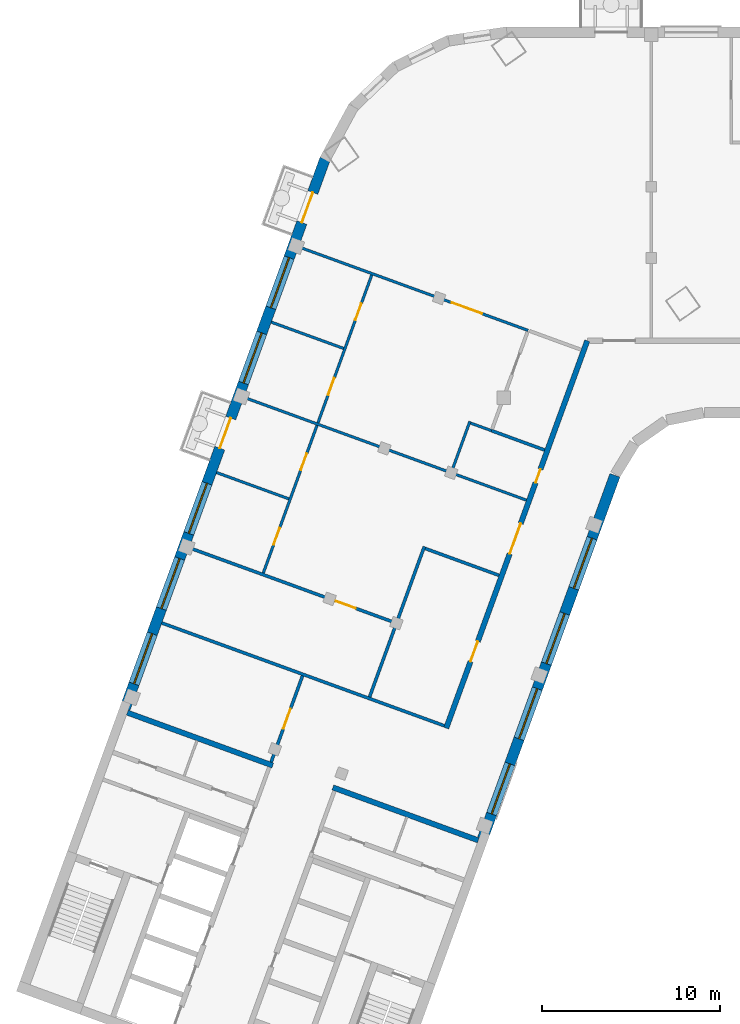
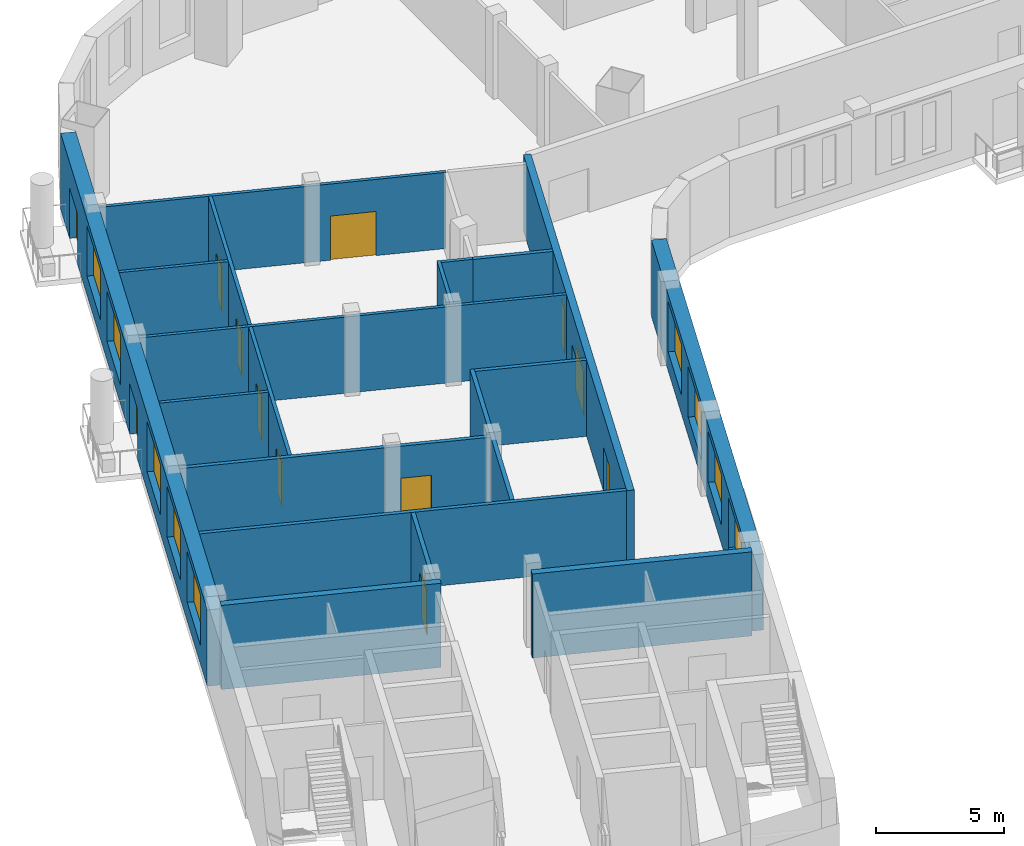
# One storey, part 3 of 10: 18 walls, 12 doors, 9 windows, 21 openings.
"""IFC4 building model written with IfcOpenShell, lengths in metres."""

from ifc_helpers import new_model, si_unit, direction, frame, frame_2d, origin, place, context, subcontext, project, spatial, rectangle, extrude, material, layer, layer_set, type_object, element, fill, save


model = new_model("IFC4")

# Units and contexts
model_context = context("Model", 3, precision=1e-05, world=origin(), true_north=direction((0.0, 1.0)))
body_context = subcontext(model_context, "Body", "Model", "MODEL_VIEW")
ifc_project = project(units=[si_unit("LENGTHUNIT", "METRE"), si_unit("AREAUNIT", "SQUARE_METRE"), si_unit("VOLUMEUNIT", "CUBIC_METRE"), si_unit("PLANEANGLEUNIT", "RADIAN"), si_unit("MASSUNIT", "GRAM", prefix="KILO")], contexts=[model_context])

# Site, building, storey
site_placement = place(None, origin())
site = spatial("IfcSite", under=ifc_project, at=site_placement, CompositionType="ELEMENT")
building_placement = place(site_placement, origin())
building = spatial("IfcBuilding", under=site, at=building_placement, Name="Skarvind Civic Tower", CompositionType="ELEMENT")
storey_placement = place(building_placement, frame((0.0, 0.0, 204.0)))
storey = spatial("IfcBuildingStorey", under=building, at=storey_placement, Name="L48", CompositionType="ELEMENT", Elevation=204.0)

# Wall
ifc_material_1 = material(Name="Acoustic gypsum board on steel studs", Category="steel")
ifc_layer_1 = layer(ifc_material_1, 0.175048828125)
ifc_layer_set_1 = layer_set([ifc_layer_1], Name="ACOUSTIC MEETING-ROOM PARTITION 175")
wall_type_1 = type_object("IfcWallType", Name="ACOUSTIC MEETING-ROOM PARTITION 175", PredefinedType="PARTITIONING", material=ifc_layer_set_1)
wall_1_placement = place(storey_placement, frame((26.736083984375, 105.47998046875, 0.0), z_axis=(0.0, 0.0, 1.0), x_axis=(0.939695108427, -0.342013308511, 0.0)))
element("IfcWall", 1, at=wall_1_placement, inside=storey, type_object=wall_type_1, Name="Partition 48.001", PredefinedType="PARTITIONING", context=body_context, shape_type="SweptSolid", body=[
    extrude(rectangle(XDim=16.89990234375, YDim=0.175048828125, at=frame_2d((8.449951171875, 0.0))), origin(), (0.0, 0.0, 1.0), 3.625),
])

# Wall, opening, door
wall_2_placement = place(storey_placement, frame((32.881103515625, 97.656982421875, 0.0), z_axis=(0.0, 0.0, 1.0), x_axis=(0.342058204353, 0.939678766832, 0.0)))
wall_2 = element("IfcWall", 2, at=wall_2_placement, inside=storey, type_object=wall_type_1, Name="Partition 48.007", PredefinedType="PARTITIONING", context=body_context, shape_type="SweptSolid", body=[
    extrude(rectangle(XDim=5.16259765625, YDim=0.175048828125, at=frame_2d((2.581298828125, 0.0))), origin(), (0.0, 0.0, 1.0), 3.625),
])
opening_1_placement = place(wall_2_placement, frame((1.9912109375, 0.0, 0.0)))
opening_1 = element("IfcOpeningElement", 3, at=opening_1_placement, cuts=wall_2, Name="Opening L48-D012", PredefinedType="OPENING", context=body_context, shape_type="SweptSolid", body=[
    extrude(rectangle(XDim=1.199951171875, YDim=2.10009765625, at=frame_2d((0.60009765625, 1.050048828125))), frame((0.0, 0.097412109375, 0.0), z_axis=(0.0, -1.0, 0.0), x_axis=(1.0, 0.0, 0.0)), (0.0, 0.0, 1.0), 0.195068359375),
])
ifc_material_2 = material(Name="Timber door leaf", Category="wood")
door_type_1 = type_object("IfcDoorType", Name="DOOR 1200X2100 DOUBLE TIMBER", OperationType="NOTDEFINED", PredefinedType="DOOR", material=ifc_material_2)
door_1_placement = place(opening_1_placement, origin())
door_1 = element("IfcDoor", 4, at=door_1_placement, inside=storey, type_object=door_type_1, Name="Door L48-D012", OperationType="DOUBLE_DOOR_SINGLE_SWING", OverallHeight=2.10009765625, OverallWidth=1.199951171875, PredefinedType="DOOR", context=body_context, shape_type="SweptSolid", body=[
    extrude(rectangle(XDim=1.199951171875, YDim=2.10009765625, at=frame_2d((0.60009765625, 1.050048828125))), frame((0.0, 0.02490234375, 0.0), z_axis=(0.0, -1.0, 0.0), x_axis=(1.0, 0.0, 0.0)), (0.0, 0.0, 1.0), 0.050048828125),
])
fill(opening_1, door_1)

# Wall
wall_3_placement = place(storey_placement, frame((38.41796875, 101.321044921875, 0.0), z_axis=(0.0, 0.0, 1.0), x_axis=(0.342082778631, 0.939669821035, 0.0)))
element("IfcWall", 5, at=wall_3_placement, inside=storey, type_object=wall_type_1, Name="Partition 48.009", PredefinedType="PARTITIONING", context=body_context, shape_type="SweptSolid", body=[
    extrude(rectangle(XDim=9.0009765625, YDim=0.175048828125, at=frame_2d((4.50048828125, 0.0))), origin(), (0.0, 0.0, 1.0), 3.625),
])

# Wall, opening, door
wall_4_placement = place(storey_placement, frame((28.27490234375, 109.708984375, 0.0), z_axis=(0.0, 0.0, 1.0), x_axis=(0.939707717516, -0.341978662553, 0.0)))
wall_4 = element("IfcWall", 6, at=wall_4_placement, inside=storey, type_object=wall_type_1, Name="Partition 48.010", PredefinedType="PARTITIONING", context=body_context, shape_type="SweptSolid", body=[
    extrude(rectangle(XDim=12.3134765625, YDim=0.175048828125, at=frame_2d((6.15673828125, 0.0))), origin(), (0.0, 0.0, 1.0), 3.625),
])
opening_2_placement = place(wall_4_placement, frame((8.765380859375, 0.0, 0.0)))
opening_2 = element("IfcOpeningElement", 7, at=opening_2_placement, cuts=wall_4, Name="Opening L48-D022", PredefinedType="OPENING", context=body_context, shape_type="SweptSolid", body=[
    extrude(rectangle(XDim=1.199951171875, YDim=2.10009765625, at=frame_2d((0.60009765625, 1.050048828125))), frame((0.0, 0.097412109375, 0.0), z_axis=(0.0, -1.0, 0.0), x_axis=(1.0, 0.0, 0.0)), (0.0, 0.0, 1.0), 0.195068359375),
])
door_2_placement = place(opening_2_placement, origin())
door_2 = element("IfcDoor", 8, at=door_2_placement, inside=storey, type_object=door_type_1, Name="Door L48-D022", OperationType="DOUBLE_DOOR_SINGLE_SWING", OverallHeight=2.10009765625, OverallWidth=1.199951171875, PredefinedType="DOOR", context=body_context, shape_type="SweptSolid", body=[
    extrude(rectangle(XDim=1.199951171875, YDim=2.10009765625, at=frame_2d((0.60009765625, 1.050048828125))), frame((0.0, 0.02490234375, 0.0), z_axis=(0.0, -1.0, 0.0), x_axis=(1.0, 0.0, 0.0)), (0.0, 0.0, 1.0), 0.050048828125),
])
fill(opening_2, door_2)

# Walls
wall_5_placement = place(storey_placement, frame((45.27490234375, 116.2919921875, 0.0), z_axis=(0.0, 0.0, 1.0), x_axis=(0.939649736865, -0.342137942956, 0.0)))
element("IfcWall", 9, at=wall_5_placement, inside=storey, type_object=wall_type_1, Name="Partition 48.015", PredefinedType="PARTITIONING", context=body_context, shape_type="SweptSolid", body=[
    extrude(rectangle(XDim=3.1767578125, YDim=0.175048828125, at=frame_2d((1.58837890625, 0.0))), origin(), (0.0, 0.0, 1.0), 3.625),
])
wall_6_placement = place(storey_placement, frame((45.695068359375, 108.156982421875, 0.0), z_axis=(0.0, 0.0, 1.0), x_axis=(-0.939620446327, 0.342218375959, 0.0)))
element("IfcWall", 10, at=wall_6_placement, inside=storey, type_object=wall_type_1, Name="Partition 48.016", PredefinedType="PARTITIONING", context=body_context, shape_type="SweptSolid", body=[
    extrude(rectangle(XDim=4.412353515625, YDim=0.175048828125, at=frame_2d((2.2060546875, 0.0))), origin(), (0.0, 0.0, 1.0), 3.625),
])

# Wall, openings, doors
ifc_material_3 = material(Name="Fire-rated gypsum board on steel studs", Category="steel")
ifc_layer_2 = layer(ifc_material_3, 0.300048828125)
ifc_layer_set_2 = layer_set([ifc_layer_2], Name="CORRIDOR WALL 300")
wall_type_2 = type_object("IfcWallType", Name="CORRIDOR WALL 300", PredefinedType="PARTITIONING", material=ifc_layer_set_2)
wall_7_placement = place(storey_placement, frame((42.72802734375, 99.56689453125, 0.0), z_axis=(0.0, 0.0, 1.0), x_axis=(0.342016197204, 0.939694057048, 0.0)))
wall_7 = element("IfcWall", 11, at=wall_7_placement, inside=storey, type_object=wall_type_2, Name="Partition 48.011", PredefinedType="PARTITIONING", context=body_context, shape_type="SweptSolid", body=[
    extrude(rectangle(XDim=23.18017578125, YDim=0.300048828125, at=frame_2d((11.590087890625, 0.0))), origin(), (0.0, 0.0, 1.0), 3.625),
])
opening_3_placement = place(wall_7_placement, frame((3.987060546875, 0.0, 0.0)))
opening_3 = element("IfcOpeningElement", 12, at=opening_3_placement, cuts=wall_7, Name="Opening L48-D013", PredefinedType="OPENING", context=body_context, shape_type="SweptSolid", body=[
    extrude(rectangle(XDim=1.199951171875, YDim=2.10009765625, at=frame_2d((0.60009765625, 1.050048828125))), frame((0.0, 0.159912109375, 0.0), z_axis=(0.0, -1.0, 0.0), x_axis=(1.0, 0.0, 0.0)), (0.0, 0.0, 1.0), 0.320068359375),
])
opening_4_placement = place(wall_7_placement, frame((10.43701171875, 0.0, 0.0)))
opening_4 = element("IfcOpeningElement", 13, at=opening_4_placement, cuts=wall_7, Name="Opening L48-D016", PredefinedType="OPENING", context=body_context, shape_type="SweptSolid", body=[
    extrude(rectangle(XDim=1.800048828125, YDim=2.10009765625, at=frame_2d((0.89990234375, 1.050048828125))), frame((0.0, 0.159912109375, 0.0), z_axis=(0.0, -1.0, 0.0), x_axis=(1.0, 0.0, 0.0)), (0.0, 0.0, 1.0), 0.320068359375),
])
opening_5_placement = place(wall_7_placement, frame((14.687255859375, 0.0, 0.0)))
opening_5 = element("IfcOpeningElement", 14, at=opening_5_placement, cuts=wall_7, Name="Opening L48-D017", PredefinedType="OPENING", context=body_context, shape_type="SweptSolid", body=[
    extrude(rectangle(XDim=0.800048828125, YDim=2.10009765625, at=frame_2d((0.39990234375, 1.050048828125))), frame((0.0, 0.159912109375, 0.0), z_axis=(0.0, -1.0, 0.0), x_axis=(1.0, 0.0, 0.0)), (0.0, 0.0, 1.0), 0.320068359375),
])
ifc_material_4 = material(Name="Fire-rated timber door leaf", Category="wood")
door_type_2 = type_object("IfcDoorType", Name="FD4 1800x2100", OperationType="NOTDEFINED", PredefinedType="DOOR", material=ifc_material_4)
door_3_placement = place(opening_4_placement, origin())
door_3 = element("IfcDoor", 15, at=door_3_placement, inside=storey, type_object=door_type_2, Name="Door L48-D016", OperationType="DOUBLE_DOOR_SINGLE_SWING", OverallHeight=2.10009765625, OverallWidth=1.800048828125, PredefinedType="DOOR", context=body_context, shape_type="SweptSolid", body=[
    extrude(rectangle(XDim=1.800048828125, YDim=2.10009765625, at=frame_2d((0.89990234375, 1.050048828125))), frame((0.0, 0.02490234375, 0.0), z_axis=(0.0, -1.0, 0.0), x_axis=(1.0, 0.0, 0.0)), (0.0, 0.0, 1.0), 0.050048828125),
])
fill(opening_4, door_3)
door_type_3 = type_object("IfcDoorType", Name="FD5 800x2100", OperationType="NOTDEFINED", PredefinedType="DOOR", material=ifc_material_4)
door_4_placement = place(opening_5_placement, origin())
door_4 = element("IfcDoor", 16, at=door_4_placement, inside=storey, type_object=door_type_3, Name="Door L48-D017", OperationType="SINGLE_SWING_LEFT", OverallHeight=2.10009765625, OverallWidth=0.800048828125, PredefinedType="DOOR", context=body_context, shape_type="SweptSolid", body=[
    extrude(rectangle(XDim=0.800048828125, YDim=2.10009765625, at=frame_2d((0.39990234375, 1.050048828125))), frame((0.0, 0.02490234375, 0.0), z_axis=(0.0, -1.0, 0.0), x_axis=(1.0, 0.0, 0.0)), (0.0, 0.0, 1.0), 0.050048828125),
])
fill(opening_5, door_4)
door_type_4 = type_object("IfcDoorType", Name="FD6 1200x2100 DOUBLE", OperationType="NOTDEFINED", PredefinedType="DOOR", material=ifc_material_4)
door_5_placement = place(opening_3_placement, origin())
door_5 = element("IfcDoor", 17, at=door_5_placement, inside=storey, type_object=door_type_4, Name="Door L48-D013", OperationType="DOUBLE_DOOR_SINGLE_SWING", OverallHeight=2.10009765625, OverallWidth=1.199951171875, PredefinedType="DOOR", context=body_context, shape_type="SweptSolid", body=[
    extrude(rectangle(XDim=1.199951171875, YDim=2.10009765625, at=frame_2d((0.60009765625, 1.050048828125))), frame((0.0, 0.02490234375, 0.0), z_axis=(0.0, -1.0, 0.0), x_axis=(1.0, 0.0, 0.0)), (0.0, 0.0, 1.0), 0.050048828125),
])
fill(opening_3, door_5)

# Walls
ifc_material_5 = material(Name="Concrete C60", Category="concrete")
ifc_layer_3 = layer(ifc_material_5, 0.300048828125)
ifc_layer_set_3 = layer_set([ifc_layer_3], Name="Core wall 300 C60")
wall_type_3 = type_object("IfcWallType", Name="Core wall 300 C60", PredefinedType="SHEAR", material=ifc_layer_set_3)
wall_8_placement = place(storey_placement, frame((44.52880859375, 93.258056640625, 0.0), z_axis=(0.0, 0.0, 1.0), x_axis=(-0.9396917844, 0.342022441267, 0.0)))
element("IfcWall", 18, at=wall_8_placement, inside=storey, type_object=wall_type_3, Name="Core wall C2 south inner face L48", PredefinedType="SHEAR", context=body_context, shape_type="SweptSolid", body=[
    extrude(rectangle(XDim=8.699951171875, YDim=0.300048828125, at=frame_2d((4.35009765625, 0.0))), origin(), (0.0, 0.0, 1.0), 4.0),
])
wall_9_placement = place(storey_placement, frame((32.970703125, 97.46484375, 0.0), z_axis=(0.0, 0.0, 1.0), x_axis=(-0.939695066972, 0.34201342241, 0.0)))
element("IfcWall", 19, at=wall_9_placement, inside=storey, type_object=wall_type_3, Name="Core wall C2 north inner face L48", PredefinedType="SHEAR", context=body_context, shape_type="SweptSolid", body=[
    extrude(rectangle(XDim=8.7001953125, YDim=0.300048828125, at=frame_2d((4.35009765625, 0.0))), origin(), (0.0, 0.0, 1.0), 4.0),
])
ifc_material_6 = material(Name="Plasterboard partition on steel studs", Category="steel")
ifc_layer_4 = layer(ifc_material_6, 0.14990234375)
ifc_layer_set_4 = layer_set([ifc_layer_4], Name="PARTITION 150")
wall_type_4 = type_object("IfcWallType", Name="PARTITION 150", PredefinedType="PARTITIONING", material=ifc_layer_set_4)
wall_10_placement = place(storey_placement, frame((29.81396484375, 113.93798828125, 0.0), z_axis=(0.0, 0.0, 1.0), x_axis=(0.93973078783, -0.341915262023, 0.0)))
element("IfcWall", 20, at=wall_10_placement, inside=storey, type_object=wall_type_4, Name="Partition 48.002", PredefinedType="PARTITIONING", context=body_context, shape_type="SweptSolid", body=[
    extrude(rectangle(XDim=4.32568359375, YDim=0.14990234375, at=frame_2d((2.162841796875, 0.0))), origin(), (0.0, 0.0, 1.0), 3.625),
])
wall_11_placement = place(storey_placement, frame((31.35302734375, 118.166015625, 0.0), z_axis=(0.0, 0.0, 1.0), x_axis=(0.939695108427, -0.342013308511, 0.0)))
element("IfcWall", 21, at=wall_11_placement, inside=storey, type_object=wall_type_4, Name="Partition 48.003", PredefinedType="PARTITIONING", context=body_context, shape_type="SweptSolid", body=[
    extrude(rectangle(XDim=16.89990234375, YDim=0.14990234375, at=frame_2d((8.449951171875, 0.0))), origin(), (0.0, 0.0, 1.0), 3.625),
])

# Wall, openings, doors
wall_12_placement = place(storey_placement, frame((38.5400390625, 125.049072265625, 0.0), z_axis=(0.0, 0.0, 1.0), x_axis=(-0.341960632782, -0.939714278719, 0.0)))
wall_12 = element("IfcWall", 22, at=wall_12_placement, inside=storey, type_object=wall_type_4, Name="Partition 48.004", PredefinedType="PARTITIONING", context=body_context, shape_type="SweptSolid", body=[
    extrude(rectangle(XDim=17.838623046875, YDim=0.14990234375, at=frame_2d((8.91943359375, 0.0))), origin(), (0.0, 0.0, 1.0), 3.625),
])
opening_6_placement = place(wall_12_placement, frame((15.14208984375, 0.0, 0.0)))
opening_6 = element("IfcOpeningElement", 23, at=opening_6_placement, cuts=wall_12, Name="Opening L48-D014", PredefinedType="OPENING", context=body_context, shape_type="SweptSolid", body=[
    extrude(rectangle(XDim=1.0, YDim=2.10009765625, at=frame_2d((0.5, 1.050048828125))), frame((0.0, 0.0849609375, 0.0), z_axis=(0.0, -1.0, 0.0), x_axis=(1.0, 0.0, 0.0)), (0.0, 0.0, 1.0), 0.169921875),
])
opening_7_placement = place(wall_12_placement, frame((10.67529296875, 0.0, 0.0)))
opening_7 = element("IfcOpeningElement", 24, at=opening_7_placement, cuts=wall_12, Name="Opening L48-D015", PredefinedType="OPENING", context=body_context, shape_type="SweptSolid", body=[
    extrude(rectangle(XDim=1.0, YDim=2.10009765625, at=frame_2d((0.5, 1.050048828125))), frame((0.0, 0.0849609375, 0.0), z_axis=(0.0, -1.0, 0.0), x_axis=(1.0, 0.0, 0.0)), (0.0, 0.0, 1.0), 0.169921875),
])
opening_8_placement = place(wall_12_placement, frame((6.175537109375, 0.0, 0.0)))
opening_8 = element("IfcOpeningElement", 25, at=opening_8_placement, cuts=wall_12, Name="Opening L48-D018", PredefinedType="OPENING", context=body_context, shape_type="SweptSolid", body=[
    extrude(rectangle(XDim=1.0, YDim=2.10009765625, at=frame_2d((0.5, 1.050048828125))), frame((0.0, 0.0849609375, 0.0), z_axis=(0.0, -1.0, 0.0), x_axis=(1.0, 0.0, 0.0)), (0.0, 0.0, 1.0), 0.169921875),
])
opening_9_placement = place(wall_12_placement, frame((1.70263671875, 0.0, 0.0)))
opening_9 = element("IfcOpeningElement", 26, at=opening_9_placement, cuts=wall_12, Name="Opening L48-D019", PredefinedType="OPENING", context=body_context, shape_type="SweptSolid", body=[
    extrude(rectangle(XDim=1.0, YDim=2.10009765625, at=frame_2d((0.5, 1.050048828125))), frame((0.0, 0.0849609375, 0.0), z_axis=(0.0, -1.0, 0.0), x_axis=(1.0, 0.0, 0.0)), (0.0, 0.0, 1.0), 0.169921875),
])
door_type_5 = type_object("IfcDoorType", Name="D1 1000x2100", OperationType="NOTDEFINED", PredefinedType="DOOR", material=ifc_material_2)
door_6_placement = place(opening_6_placement, origin())
door_6 = element("IfcDoor", 27, at=door_6_placement, inside=storey, type_object=door_type_5, Name="Door L48-D014", OperationType="SINGLE_SWING_LEFT", OverallHeight=2.10009765625, OverallWidth=1.0, PredefinedType="DOOR", context=body_context, shape_type="SweptSolid", body=[
    extrude(rectangle(XDim=1.0, YDim=2.10009765625, at=frame_2d((0.5, 1.050048828125))), frame((0.0, 0.02490234375, 0.0), z_axis=(0.0, -1.0, 0.0), x_axis=(1.0, 0.0, 0.0)), (0.0, 0.0, 1.0), 0.050048828125),
])
fill(opening_6, door_6)
door_7_placement = place(opening_7_placement, origin())
door_7 = element("IfcDoor", 28, at=door_7_placement, inside=storey, type_object=door_type_5, Name="Door L48-D015", OperationType="SINGLE_SWING_LEFT", OverallHeight=2.10009765625, OverallWidth=1.0, PredefinedType="DOOR", context=body_context, shape_type="SweptSolid", body=[
    extrude(rectangle(XDim=1.0, YDim=2.10009765625, at=frame_2d((0.5, 1.050048828125))), frame((0.0, 0.02490234375, 0.0), z_axis=(0.0, -1.0, 0.0), x_axis=(1.0, 0.0, 0.0)), (0.0, 0.0, 1.0), 0.050048828125),
])
fill(opening_7, door_7)
door_8_placement = place(opening_8_placement, origin())
door_8 = element("IfcDoor", 29, at=door_8_placement, inside=storey, type_object=door_type_5, Name="Door L48-D018", OperationType="SINGLE_SWING_LEFT", OverallHeight=2.10009765625, OverallWidth=1.0, PredefinedType="DOOR", context=body_context, shape_type="SweptSolid", body=[
    extrude(rectangle(XDim=1.0, YDim=2.10009765625, at=frame_2d((0.5, 1.050048828125))), frame((0.0, 0.02490234375, 0.0), z_axis=(0.0, -1.0, 0.0), x_axis=(1.0, 0.0, 0.0)), (0.0, 0.0, 1.0), 0.050048828125),
])
fill(opening_8, door_8)
door_9_placement = place(opening_9_placement, origin())
door_9 = element("IfcDoor", 30, at=door_9_placement, inside=storey, type_object=door_type_5, Name="Door L48-D019", OperationType="SINGLE_SWING_LEFT", OverallHeight=2.10009765625, OverallWidth=1.0, PredefinedType="DOOR", context=body_context, shape_type="SweptSolid", body=[
    extrude(rectangle(XDim=1.0, YDim=2.10009765625, at=frame_2d((0.5, 1.050048828125))), frame((0.0, 0.02490234375, 0.0), z_axis=(0.0, -1.0, 0.0), x_axis=(1.0, 0.0, 0.0)), (0.0, 0.0, 1.0), 0.050048828125),
])
fill(opening_9, door_9)

# Wall
wall_13_placement = place(storey_placement, frame((32.89208984375, 122.39501953125, 0.0), z_axis=(0.0, 0.0, 1.0), x_axis=(0.93973078783, -0.341915262023, 0.0)))
element("IfcWall", 31, at=wall_13_placement, inside=storey, type_object=wall_type_4, Name="Partition 48.005", PredefinedType="PARTITIONING", context=body_context, shape_type="SweptSolid", body=[
    extrude(rectangle(XDim=4.32568359375, YDim=0.14990234375, at=frame_2d((2.162841796875, 0.0))), origin(), (0.0, 0.0, 1.0), 3.625),
])

# Wall, opening, door
wall_14_placement = place(storey_placement, frame((34.430908203125, 126.6240234375, 0.0), z_axis=(0.0, 0.0, 1.0), x_axis=(0.939689004313, -0.34203007934, 0.0)))
wall_14 = element("IfcWall", 32, at=wall_14_placement, inside=storey, type_object=wall_type_4, Name="Partition 48.006", PredefinedType="PARTITIONING", context=body_context, shape_type="SweptSolid", body=[
    extrude(rectangle(XDim=13.72705078125, YDim=0.14990234375, at=frame_2d((6.863525390625, 0.0))), origin(), (0.0, 0.0, 1.0), 3.625),
])
opening_10_placement = place(wall_14_placement, frame((9.162109375, 0.0, 0.0)))
opening_10 = element("IfcOpeningElement", 33, at=opening_10_placement, cuts=wall_14, Name="Opening L48-D020", PredefinedType="OPENING", context=body_context, shape_type="SweptSolid", body=[
    extrude(rectangle(XDim=1.800048828125, YDim=2.10009765625, at=frame_2d((0.89990234375, 1.050048828125))), frame((0.0, 0.0849609375, 0.0), z_axis=(0.0, -1.0, 0.0), x_axis=(1.0, 0.0, 0.0)), (0.0, 0.0, 1.0), 0.169921875),
])
door_type_6 = type_object("IfcDoorType", Name="D4 1800x2100", OperationType="NOTDEFINED", PredefinedType="DOOR", material=ifc_material_2)
door_10_placement = place(opening_10_placement, origin())
door_10 = element("IfcDoor", 34, at=door_10_placement, inside=storey, type_object=door_type_6, Name="Door L48-D020", OperationType="DOUBLE_DOOR_SINGLE_SWING", OverallHeight=2.10009765625, OverallWidth=1.800048828125, PredefinedType="DOOR", context=body_context, shape_type="SweptSolid", body=[
    extrude(rectangle(XDim=1.800048828125, YDim=2.10009765625, at=frame_2d((0.89990234375, 1.050048828125))), frame((0.0, 0.02490234375, 0.0), z_axis=(0.0, -1.0, 0.0), x_axis=(1.0, 0.0, 0.0)), (0.0, 0.0, 1.0), 0.050048828125),
])
fill(opening_10, door_10)

# Walls
wall_15_placement = place(storey_placement, frame((44.05810546875, 116.81396484375, 0.0), z_axis=(0.0, 0.0, 1.0), x_axis=(-0.342063238742, -0.939676934218, 0.0)))
element("IfcWall", 35, at=wall_15_placement, inside=storey, type_object=wall_type_4, Name="Partition 48.013", PredefinedType="PARTITIONING", context=body_context, shape_type="SweptSolid", body=[
    extrude(rectangle(XDim=2.999755859375, YDim=0.14990234375, at=frame_2d((1.5, 0.0))), origin(), (0.0, 0.0, 1.0), 3.625),
])
wall_16_placement = place(storey_placement, frame((45.27490234375, 116.2919921875, 0.0), z_axis=(0.0, 0.0, 1.0), x_axis=(-0.93991332754, 0.341413146661, 0.0)))
element("IfcWall", 36, at=wall_16_placement, inside=storey, type_object=wall_type_4, Name="Partition 48.014", PredefinedType="PARTITIONING", context=body_context, shape_type="SweptSolid", body=[
    extrude(rectangle(XDim=1.247802734375, YDim=0.14990234375, at=frame_2d((0.6240234375, 0.0))), origin(), (0.0, 0.0, 1.0), 3.625),
])

# Wall, openings, windows
ifc_material_7 = material(Name="Limestone masonry cladding on insulated backing", Category="masonry")
ifc_layer_5 = layer(ifc_material_7, 0.60009765625)
ifc_layer_set_5 = layer_set([ifc_layer_5], Name="WX1 STONE FACADE WALL 600")
wall_type_5 = type_object("IfcWallType", Name="WX1 STONE FACADE WALL 600", PredefinedType="SOLIDWALL", material=ifc_layer_set_5)
wall_17_placement = place(storey_placement, frame((52.212158203125, 113.78271484375, 0.0), z_axis=(0.0, 0.0, 1.0), x_axis=(-0.34202521188, -0.939690775968, 0.0)))
wall_17 = element("IfcWall", 37, at=wall_17_placement, inside=storey, type_object=wall_type_5, Name="STONE FACADE WALL", PredefinedType="SOLIDWALL", context=body_context, shape_type="SweptSolid", body=[
    extrude(rectangle(XDim=21.744873046875, YDim=0.60009765625, at=frame_2d((10.87255859375, 0.0))), origin(), (0.0, 0.0, 1.0), 3.625),
])
opening_11_placement = place(wall_17_placement, frame((3.764892578125, 0.0, 0.89990234375)))
opening_11 = element("IfcOpeningElement", 38, at=opening_11_placement, cuts=wall_17, Name="Opening WN1", PredefinedType="OPENING", context=body_context, shape_type="SweptSolid", body=[
    extrude(rectangle(XDim=3.0, YDim=2.39990234375, at=frame_2d((1.5, 1.199951171875))), frame((0.0, 0.31005859375, 0.0), z_axis=(0.0, -1.0, 0.0), x_axis=(1.0, 0.0, 0.0)), (0.0, 0.0, 1.0), 0.6201171875),
])
opening_12_placement = place(wall_17_placement, frame((8.264892578125, 0.0, 0.89990234375)))
opening_12 = element("IfcOpeningElement", 39, at=opening_12_placement, cuts=wall_17, Name="Opening WN1", PredefinedType="OPENING", context=body_context, shape_type="SweptSolid", body=[
    extrude(rectangle(XDim=3.0, YDim=2.39990234375, at=frame_2d((1.5, 1.199951171875))), frame((0.0, 0.31005859375, 0.0), z_axis=(0.0, -1.0, 0.0), x_axis=(1.0, 0.0, 0.0)), (0.0, 0.0, 1.0), 0.6201171875),
])
opening_13_placement = place(wall_17_placement, frame((12.764892578125, 0.0, 0.89990234375)))
opening_13 = element("IfcOpeningElement", 40, at=opening_13_placement, cuts=wall_17, Name="Opening WN1", PredefinedType="OPENING", context=body_context, shape_type="SweptSolid", body=[
    extrude(rectangle(XDim=3.0, YDim=2.39990234375, at=frame_2d((1.5, 1.199951171875))), frame((0.0, 0.31005859375, 0.0), z_axis=(0.0, -1.0, 0.0), x_axis=(1.0, 0.0, 0.0)), (0.0, 0.0, 1.0), 0.6201171875),
])
opening_14_placement = place(wall_17_placement, frame((17.264892578125, 0.0, 0.89990234375)))
opening_14 = element("IfcOpeningElement", 41, at=opening_14_placement, cuts=wall_17, Name="Opening WN1", PredefinedType="OPENING", context=body_context, shape_type="SweptSolid", body=[
    extrude(rectangle(XDim=3.0, YDim=2.39990234375, at=frame_2d((1.5, 1.199951171875))), frame((0.0, 0.31005859375, 0.0), z_axis=(0.0, -1.0, 0.0), x_axis=(1.0, 0.0, 0.0)), (0.0, 0.0, 1.0), 0.6201171875),
])
ifc_material_8 = material(Name="Timber frame, double glazing, timber-lined reveal", Category="wood")
window_type = type_object("IfcWindowType", Name="WN1 PUNCHED STONE WINDOW 3000 x 2400", PartitioningType="SINGLE_PANEL", PredefinedType="WINDOW", material=ifc_material_8)
window_1_placement = place(opening_11_placement, origin())
window_1 = element("IfcWindow", 42, at=window_1_placement, inside=storey, type_object=window_type, Name="WN1 WINDOW", OverallHeight=2.39990234375, OverallWidth=3.0, PartitioningType="SINGLE_PANEL", PredefinedType="WINDOW", context=body_context, shape_type="SweptSolid", body=[
    extrude(rectangle(XDim=3.0, YDim=2.39990234375, at=frame_2d((1.5, 1.199951171875))), frame((0.0, 0.030029296875, 0.0), z_axis=(0.0, -1.0, 0.0), x_axis=(1.0, 0.0, 0.0)), (0.0, 0.0, 1.0), 0.06005859375),
])
fill(opening_11, window_1)
window_2_placement = place(opening_12_placement, origin())
window_2 = element("IfcWindow", 43, at=window_2_placement, inside=storey, type_object=window_type, Name="WN1 WINDOW", OverallHeight=2.39990234375, OverallWidth=3.0, PartitioningType="SINGLE_PANEL", PredefinedType="WINDOW", context=body_context, shape_type="SweptSolid", body=[
    extrude(rectangle(XDim=3.0, YDim=2.39990234375, at=frame_2d((1.5, 1.199951171875))), frame((0.0, 0.030029296875, 0.0), z_axis=(0.0, -1.0, 0.0), x_axis=(1.0, 0.0, 0.0)), (0.0, 0.0, 1.0), 0.06005859375),
])
fill(opening_12, window_2)
window_3_placement = place(opening_13_placement, origin())
window_3 = element("IfcWindow", 44, at=window_3_placement, inside=storey, type_object=window_type, Name="WN1 WINDOW", OverallHeight=2.39990234375, OverallWidth=3.0, PartitioningType="SINGLE_PANEL", PredefinedType="WINDOW", context=body_context, shape_type="SweptSolid", body=[
    extrude(rectangle(XDim=3.0, YDim=2.39990234375, at=frame_2d((1.5, 1.199951171875))), frame((0.0, 0.030029296875, 0.0), z_axis=(0.0, -1.0, 0.0), x_axis=(1.0, 0.0, 0.0)), (0.0, 0.0, 1.0), 0.06005859375),
])
fill(opening_13, window_3)
window_4_placement = place(opening_14_placement, origin())
window_4 = element("IfcWindow", 45, at=window_4_placement, inside=storey, type_object=window_type, Name="WN1 WINDOW", OverallHeight=2.39990234375, OverallWidth=3.0, PartitioningType="SINGLE_PANEL", PredefinedType="WINDOW", context=body_context, shape_type="SweptSolid", body=[
    extrude(rectangle(XDim=3.0, YDim=2.39990234375, at=frame_2d((1.5, 1.199951171875))), frame((0.0, 0.030029296875, 0.0), z_axis=(0.0, -1.0, 0.0), x_axis=(1.0, 0.0, 0.0)), (0.0, 0.0, 1.0), 0.06005859375),
])
fill(opening_14, window_4)

# Wall, openings, doors, windows
wall_18_placement = place(storey_placement, frame((24.66552734375, 100.668701171875, 0.0), z_axis=(0.0, 0.0, 1.0), x_axis=(0.34201964167, 0.939692803373, 0.0)))
wall_18 = element("IfcWall", 46, at=wall_18_placement, inside=storey, type_object=wall_type_5, Name="STONE FACADE WALL", PredefinedType="SOLIDWALL", context=body_context, shape_type="SweptSolid", body=[
    extrude(rectangle(XDim=32.88427734375, YDim=0.60009765625, at=frame_2d((16.442138671875, 0.0))), origin(), (0.0, 0.0, 1.0), 3.625),
])
opening_15_placement = place(wall_18_placement, frame((1.47998046875, 0.0, 0.89990234375)))
opening_15 = element("IfcOpeningElement", 47, at=opening_15_placement, cuts=wall_18, Name="Opening WN1", PredefinedType="OPENING", context=body_context, shape_type="SweptSolid", body=[
    extrude(rectangle(XDim=3.0, YDim=2.39990234375, at=frame_2d((1.5, 1.199951171875))), frame((0.0, 0.31005859375, 0.0), z_axis=(0.0, -1.0, 0.0), x_axis=(1.0, 0.0, 0.0)), (0.0, 0.0, 1.0), 0.6201171875),
])
opening_16_placement = place(wall_18_placement, frame((5.97998046875, 0.0, 0.89990234375)))
opening_16 = element("IfcOpeningElement", 48, at=opening_16_placement, cuts=wall_18, Name="Opening WN1", PredefinedType="OPENING", context=body_context, shape_type="SweptSolid", body=[
    extrude(rectangle(XDim=3.0, YDim=2.39990234375, at=frame_2d((1.5, 1.199951171875))), frame((0.0, 0.31005859375, 0.0), z_axis=(0.0, -1.0, 0.0), x_axis=(1.0, 0.0, 0.0)), (0.0, 0.0, 1.0), 0.6201171875),
])
opening_17_placement = place(wall_18_placement, frame((10.47998046875, 0.0, 0.89990234375)))
opening_17 = element("IfcOpeningElement", 49, at=opening_17_placement, cuts=wall_18, Name="Opening WN1", PredefinedType="OPENING", context=body_context, shape_type="SweptSolid", body=[
    extrude(rectangle(XDim=3.0, YDim=2.39990234375, at=frame_2d((1.5, 1.199951171875))), frame((0.0, 0.31005859375, 0.0), z_axis=(0.0, -1.0, 0.0), x_axis=(1.0, 0.0, 0.0)), (0.0, 0.0, 1.0), 0.6201171875),
])
opening_18_placement = place(wall_18_placement, frame((15.580078125, 0.0, 0.0)))
opening_18 = element("IfcOpeningElement", 50, at=opening_18_placement, cuts=wall_18, Name="Opening DX3", PredefinedType="OPENING", context=body_context, shape_type="SweptSolid", body=[
    extrude(rectangle(XDim=1.800048828125, YDim=2.39990234375, at=frame_2d((0.89990234375, 1.199951171875))), frame((0.0, 0.31005859375, 0.0), z_axis=(0.0, -1.0, 0.0), x_axis=(1.0, 0.0, 0.0)), (0.0, 0.0, 1.0), 0.6201171875),
])
opening_19_placement = place(wall_18_placement, frame((19.47998046875, 0.0, 0.89990234375)))
opening_19 = element("IfcOpeningElement", 51, at=opening_19_placement, cuts=wall_18, Name="Opening WN1", PredefinedType="OPENING", context=body_context, shape_type="SweptSolid", body=[
    extrude(rectangle(XDim=3.0, YDim=2.39990234375, at=frame_2d((1.5, 1.199951171875))), frame((0.0, 0.31005859375, 0.0), z_axis=(0.0, -1.0, 0.0), x_axis=(1.0, 0.0, 0.0)), (0.0, 0.0, 1.0), 0.6201171875),
])
opening_20_placement = place(wall_18_placement, frame((23.97998046875, 0.0, 0.89990234375)))
opening_20 = element("IfcOpeningElement", 52, at=opening_20_placement, cuts=wall_18, Name="Opening WN1", PredefinedType="OPENING", context=body_context, shape_type="SweptSolid", body=[
    extrude(rectangle(XDim=3.0, YDim=2.39990234375, at=frame_2d((1.5, 1.199951171875))), frame((0.0, 0.31005859375, 0.0), z_axis=(0.0, -1.0, 0.0), x_axis=(1.0, 0.0, 0.0)), (0.0, 0.0, 1.0), 0.6201171875),
])
opening_21_placement = place(wall_18_placement, frame((29.080078125, 0.0, 0.0)))
opening_21 = element("IfcOpeningElement", 53, at=opening_21_placement, cuts=wall_18, Name="Opening DX3", PredefinedType="OPENING", context=body_context, shape_type="SweptSolid", body=[
    extrude(rectangle(XDim=1.800048828125, YDim=2.39990234375, at=frame_2d((0.89990234375, 1.199951171875))), frame((0.0, 0.31005859375, 0.0), z_axis=(0.0, -1.0, 0.0), x_axis=(1.0, 0.0, 0.0)), (0.0, 0.0, 1.0), 0.6201171875),
])
ifc_material_9 = material(Name="Timber and glass doorset", Category="wood")
door_type_7 = type_object("IfcDoorType", Name="DX3 TERRACE DOORS 1800 x 2400", OperationType="NOTDEFINED", PredefinedType="DOOR", material=ifc_material_9)
door_11_placement = place(opening_18_placement, origin())
door_11 = element("IfcDoor", 54, at=door_11_placement, inside=storey, type_object=door_type_7, Name="TERRACE DOORS", OperationType="DOUBLE_DOOR_SINGLE_SWING", OverallHeight=2.39990234375, OverallWidth=1.800048828125, PredefinedType="DOOR", context=body_context, shape_type="SweptSolid", body=[
    extrude(rectangle(XDim=1.800048828125, YDim=2.39990234375, at=frame_2d((0.89990234375, 1.199951171875))), frame((0.0, 0.02490234375, 0.0), z_axis=(0.0, -1.0, 0.0), x_axis=(1.0, 0.0, 0.0)), (0.0, 0.0, 1.0), 0.050048828125),
])
fill(opening_18, door_11)
door_12_placement = place(opening_21_placement, origin())
door_12 = element("IfcDoor", 55, at=door_12_placement, inside=storey, type_object=door_type_7, Name="TERRACE DOORS", OperationType="DOUBLE_DOOR_SINGLE_SWING", OverallHeight=2.39990234375, OverallWidth=1.800048828125, PredefinedType="DOOR", context=body_context, shape_type="SweptSolid", body=[
    extrude(rectangle(XDim=1.800048828125, YDim=2.39990234375, at=frame_2d((0.89990234375, 1.199951171875))), frame((0.0, 0.02490234375, 0.0), z_axis=(0.0, -1.0, 0.0), x_axis=(1.0, 0.0, 0.0)), (0.0, 0.0, 1.0), 0.050048828125),
])
fill(opening_21, door_12)
window_5_placement = place(opening_15_placement, origin())
window_5 = element("IfcWindow", 56, at=window_5_placement, inside=storey, type_object=window_type, Name="WN1 WINDOW", OverallHeight=2.39990234375, OverallWidth=3.0, PartitioningType="SINGLE_PANEL", PredefinedType="WINDOW", context=body_context, shape_type="SweptSolid", body=[
    extrude(rectangle(XDim=3.0, YDim=2.39990234375, at=frame_2d((1.5, 1.199951171875))), frame((0.0, 0.030029296875, 0.0), z_axis=(0.0, -1.0, 0.0), x_axis=(1.0, 0.0, 0.0)), (0.0, 0.0, 1.0), 0.06005859375),
])
fill(opening_15, window_5)
window_6_placement = place(opening_16_placement, origin())
window_6 = element("IfcWindow", 57, at=window_6_placement, inside=storey, type_object=window_type, Name="WN1 WINDOW", OverallHeight=2.39990234375, OverallWidth=3.0, PartitioningType="SINGLE_PANEL", PredefinedType="WINDOW", context=body_context, shape_type="SweptSolid", body=[
    extrude(rectangle(XDim=3.0, YDim=2.39990234375, at=frame_2d((1.5, 1.199951171875))), frame((0.0, 0.030029296875, 0.0), z_axis=(0.0, -1.0, 0.0), x_axis=(1.0, 0.0, 0.0)), (0.0, 0.0, 1.0), 0.06005859375),
])
fill(opening_16, window_6)
window_7_placement = place(opening_17_placement, origin())
window_7 = element("IfcWindow", 58, at=window_7_placement, inside=storey, type_object=window_type, Name="WN1 WINDOW", OverallHeight=2.39990234375, OverallWidth=3.0, PartitioningType="SINGLE_PANEL", PredefinedType="WINDOW", context=body_context, shape_type="SweptSolid", body=[
    extrude(rectangle(XDim=3.0, YDim=2.39990234375, at=frame_2d((1.5, 1.199951171875))), frame((0.0, 0.030029296875, 0.0), z_axis=(0.0, -1.0, 0.0), x_axis=(1.0, 0.0, 0.0)), (0.0, 0.0, 1.0), 0.06005859375),
])
fill(opening_17, window_7)
window_8_placement = place(opening_19_placement, origin())
window_8 = element("IfcWindow", 59, at=window_8_placement, inside=storey, type_object=window_type, Name="WN1 WINDOW", OverallHeight=2.39990234375, OverallWidth=3.0, PartitioningType="SINGLE_PANEL", PredefinedType="WINDOW", context=body_context, shape_type="SweptSolid", body=[
    extrude(rectangle(XDim=3.0, YDim=2.39990234375, at=frame_2d((1.5, 1.199951171875))), frame((0.0, 0.030029296875, 0.0), z_axis=(0.0, -1.0, 0.0), x_axis=(1.0, 0.0, 0.0)), (0.0, 0.0, 1.0), 0.06005859375),
])
fill(opening_19, window_8)
window_9_placement = place(opening_20_placement, origin())
window_9 = element("IfcWindow", 60, at=window_9_placement, inside=storey, type_object=window_type, Name="WN1 WINDOW", OverallHeight=2.39990234375, OverallWidth=3.0, PartitioningType="SINGLE_PANEL", PredefinedType="WINDOW", context=body_context, shape_type="SweptSolid", body=[
    extrude(rectangle(XDim=3.0, YDim=2.39990234375, at=frame_2d((1.5, 1.199951171875))), frame((0.0, 0.030029296875, 0.0), z_axis=(0.0, -1.0, 0.0), x_axis=(1.0, 0.0, 0.0)), (0.0, 0.0, 1.0), 0.06005859375),
])
fill(opening_20, window_9)

save(model, "model.ifc")
